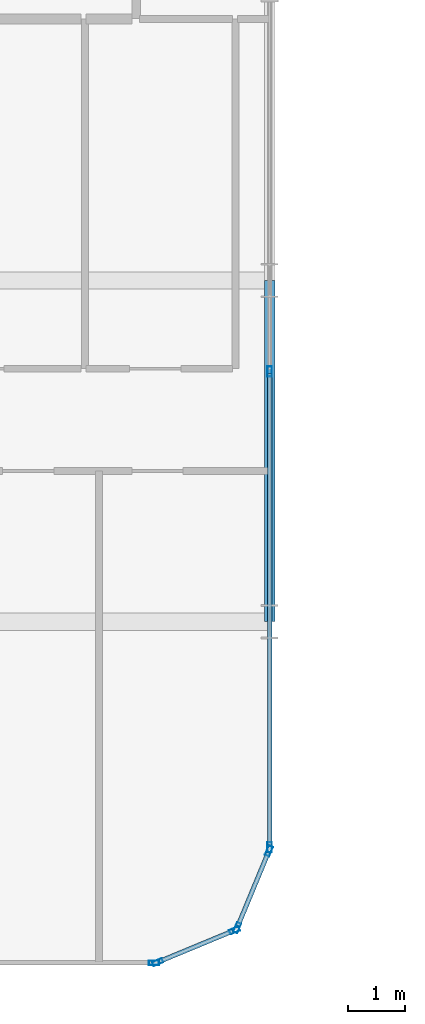
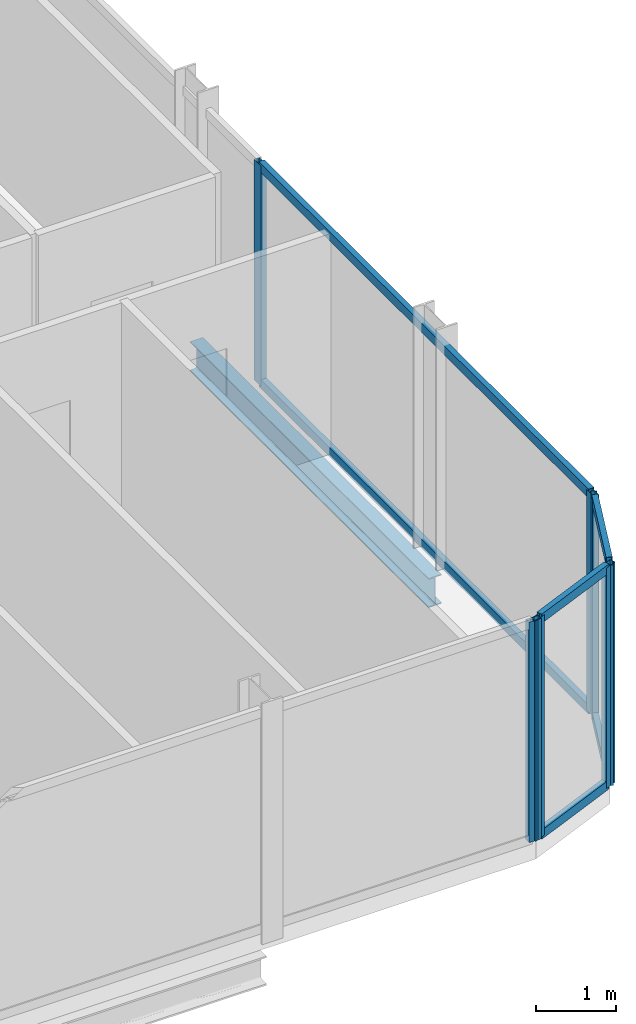
# One storey, part 10 of 29: 13 members, 1 beam, 4 elements without a shape of their own.
"""IFC4 building model written with IfcOpenShell, lengths in metres."""

from ifc_helpers import new_model, si_unit, direction, frame, origin, origin_2d, place, context, subcontext, project, spatial, hollow_rectangle, i_section, extrude, material, layer, layer_set, material_profile, profile_set, type_object, element, aggregate, save


model = new_model("IFC4")

# Units and contexts
model_context = context("Model", 3, precision=1e-05, world=origin(), true_north=direction((0.0, 1.0)))
body_context = subcontext(model_context, "Body", "Model", "MODEL_VIEW")
ifc_project = project(units=[si_unit("LENGTHUNIT", "METRE"), si_unit("AREAUNIT", "SQUARE_METRE"), si_unit("VOLUMEUNIT", "CUBIC_METRE"), si_unit("PLANEANGLEUNIT", "RADIAN"), si_unit("MASSUNIT", "GRAM", prefix="KILO")], contexts=[model_context])

# Site, building, storey
site_placement = place(None, origin())
site = spatial("IfcSite", under=ifc_project, at=site_placement, CompositionType="ELEMENT")
building_placement = place(site_placement, origin())
building = spatial("IfcBuilding", under=site, at=building_placement, Name="Keshet Zoharim Tower", CompositionType="ELEMENT")
storey_placement = place(building_placement, frame((0.0, 0.0, 98.300048828125)))
storey = spatial("IfcBuildingStorey", under=building, at=storey_placement, Name="L23", CompositionType="ELEMENT", Elevation=98.300048828125)

# Beam
ifc_material_1 = material(Name="Steel S355", Category="steel")
ifc_material_profile_1 = material_profile(ifc_material_1, i_section(OverallWidth=0.18994140625, OverallDepth=0.449951171875, WebThickness=0.009521484375, FlangeThickness=0.0146484375, FilletRadius=0.02099609375, at=origin_2d()), Name="IPE450")
ifc_profile_set_1 = profile_set([ifc_material_profile_1], Name="Steel S355")
beam_type = type_object("IfcBeamType", Name="BM-PRI-IP450", PredefinedType="BEAM", material=ifc_profile_set_1)
beam_placement = place(storey_placement, frame((57.0, 6.699951171875, -0.5400390625), z_axis=(0.0, 1.0, 0.0), x_axis=(-1.0, 0.0, 0.0)))
element("IfcBeam", 1, at=beam_placement, inside=storey, type_object=beam_type, Name="L23 Primary Girder Y-013", PredefinedType="BEAM", context=body_context, shape_type="SweptSolid", body=[
    extrude(i_section(OverallWidth=0.18994140625, OverallDepth=0.449951171875, WebThickness=0.009521484375, FlangeThickness=0.0146484375, FilletRadius=0.02099609375, at=origin_2d()), origin(), (0.0, 0.0, 1.0), 6.0),
])

# Curtain wall, members
ifc_material_2 = material(Name="Aluminium 6063-T6", Category="aluminium")
ifc_layer = layer(ifc_material_2, 0.159912109375)
ifc_layer_set = layer_set([ifc_layer], Name="Aluminium 6063-T6")
curtain_wall_type = type_object("IfcCurtainWallType", Name="CW-SYS-03", PredefinedType="NOTDEFINED", material=ifc_layer_set)
curtain_wall_1_placement = place(storey_placement, origin())
curtain_wall_1 = element("IfcCurtainWall", 2, at=curtain_wall_1_placement, inside=storey, type_object=curtain_wall_type, Name="L23 Unitised Curtain Wall 01", PredefinedType="NOTDEFINED")
ifc_material_profile_2 = material_profile(ifc_material_2, hollow_rectangle(XDim=0.080078125, YDim=0.179931640625, WallThickness=0.00439453125, at=origin_2d()), Name="MUL-80x180")
ifc_profile_set_2 = profile_set([ifc_material_profile_2], Name="Aluminium 6063-T6")
member_type_1 = type_object("IfcMemberType", Name="CWM-M18", PredefinedType="MULLION", material=ifc_profile_set_2)
member_1_placement = place(storey_placement, frame((56.986572265625, 2.667724609375, 0.0), z_axis=(0.0, 0.0, 1.0), x_axis=(0.92380975372, -0.382851849847, 0.0)))
member_1 = element("IfcMember", 3, at=member_1_placement, type_object=member_type_1, Name="CW-03 mullion 1", PredefinedType="MULLION", context=body_context, shape_type="SweptSolid", body=[
    extrude(hollow_rectangle(XDim=0.080078125, YDim=0.179931640625, WallThickness=0.00439453125, at=origin_2d()), origin(), (0.0, 0.0, 1.0), 3.385009765625),
])
member_2_placement = place(storey_placement, frame((56.427490234375, 1.318359375, 0.0), z_axis=(0.0, 0.0, 1.0), x_axis=(0.92380975372, -0.382851849847, 0.0)))
member_2 = element("IfcMember", 4, at=member_2_placement, type_object=member_type_1, Name="CW-03 mullion 2", PredefinedType="MULLION", context=body_context, shape_type="SweptSolid", body=[
    extrude(hollow_rectangle(XDim=0.080078125, YDim=0.179931640625, WallThickness=0.00439453125, at=origin_2d()), origin(), (0.0, 0.0, 1.0), 3.385009765625),
])

curtain_wall_2_placement = place(storey_placement, origin())
curtain_wall_2 = element("IfcCurtainWall", 5, at=curtain_wall_2_placement, inside=storey, type_object=curtain_wall_type, Name="L23 Unitised Curtain Wall 02", PredefinedType="NOTDEFINED")
member_3_placement = place(storey_placement, frame((56.381591796875, 1.272705078125, 0.0), z_axis=(0.0, 0.0, 1.0), x_axis=(0.382851849847, -0.92380975372, 0.0)))
member_3 = element("IfcMember", 6, at=member_3_placement, type_object=member_type_1, Name="CW-03 mullion 1", PredefinedType="MULLION", context=body_context, shape_type="SweptSolid", body=[
    extrude(hollow_rectangle(XDim=0.080078125, YDim=0.179931640625, WallThickness=0.00439453125, at=origin_2d()), origin(), (0.0, 0.0, 1.0), 3.385009765625),
])
member_4_placement = place(storey_placement, frame((55.0322265625, 0.71337890625, 0.0), z_axis=(0.0, 0.0, 1.0), x_axis=(0.382851849847, -0.92380975372, 0.0)))
member_4 = element("IfcMember", 7, at=member_4_placement, type_object=member_type_1, Name="CW-03 mullion 2", PredefinedType="MULLION", context=body_context, shape_type="SweptSolid", body=[
    extrude(hollow_rectangle(XDim=0.080078125, YDim=0.179931640625, WallThickness=0.00439453125, at=origin_2d()), origin(), (0.0, 0.0, 1.0), 3.385009765625),
])

# Curtain wall, member
curtain_wall_3_placement = place(storey_placement, origin())
curtain_wall_3 = element("IfcCurtainWall", 8, at=curtain_wall_3_placement, inside=storey, type_object=curtain_wall_type, Name="L23 Unitised Curtain Wall 03", PredefinedType="NOTDEFINED")
member_5_placement = place(storey_placement, frame((54.965087890625, 0.699951171875, 0.0), z_axis=(0.0, 0.0, 1.0), x_axis=(0.0, -1.0, 0.0)))
member_5 = element("IfcMember", 9, at=member_5_placement, type_object=member_type_1, Name="CW-03 mullion 1", PredefinedType="MULLION", context=body_context, shape_type="SweptSolid", body=[
    extrude(hollow_rectangle(XDim=0.080078125, YDim=0.179931640625, WallThickness=0.00439453125, at=origin_2d()), origin(), (0.0, 0.0, 1.0), 3.385009765625),
])
aggregate(curtain_wall_3, [member_5])

# Curtain wall, members
curtain_wall_4_placement = place(storey_placement, origin())
curtain_wall_4 = element("IfcCurtainWall", 10, at=curtain_wall_4_placement, inside=storey, type_object=curtain_wall_type, Name="L23 Unitised Curtain Wall 19", PredefinedType="NOTDEFINED")
member_6_placement = place(storey_placement, frame((57.0, 11.10009765625, 0.0), z_axis=(0.0, 0.0, 1.0), x_axis=(1.0, 0.0, 0.0)))
member_6 = element("IfcMember", 11, at=member_6_placement, type_object=member_type_1, Name="CW-03 mullion 3", PredefinedType="MULLION", context=body_context, shape_type="SweptSolid", body=[
    extrude(hollow_rectangle(XDim=0.080078125, YDim=0.179931640625, WallThickness=0.00439453125, at=origin_2d()), origin(), (0.0, 0.0, 1.0), 3.385009765625),
])
member_7_placement = place(storey_placement, frame((57.0, 2.735107421875, 0.0), z_axis=(0.0, 0.0, 1.0), x_axis=(1.0, 0.0, 0.0)))
member_7 = element("IfcMember", 12, at=member_7_placement, type_object=member_type_1, Name="CW-03 mullion 4", PredefinedType="MULLION", context=body_context, shape_type="SweptSolid", body=[
    extrude(hollow_rectangle(XDim=0.080078125, YDim=0.179931640625, WallThickness=0.00439453125, at=origin_2d()), origin(), (0.0, 0.0, 1.0), 3.385009765625),
])

# Member
ifc_material_profile_3 = material_profile(ifc_material_2, hollow_rectangle(XDim=0.080078125, YDim=0.139892578125, WallThickness=0.00390625, at=origin_2d()), Name="TRN-80x140")
ifc_profile_set_3 = profile_set([ifc_material_profile_3], Name="Aluminium 6063-T6")
member_type_2 = type_object("IfcMemberType", Name="CWT-T14", PredefinedType="USERDEFINED", material=ifc_profile_set_3)
member_8_placement = place(storey_placement, frame((56.97314453125, 2.63525390625, 0.034912109375), z_axis=(-0.382744609247, -0.923854189844, 0.0), x_axis=(0.923854189844, -0.382744609247, 0.0)))
member_8 = element("IfcMember", 13, at=member_8_placement, type_object=member_type_2, Name="CW-03 transom 1.1", ObjectType="TRANSOM", PredefinedType="USERDEFINED", context=body_context, shape_type="SweptSolid", body=[
    extrude(hollow_rectangle(XDim=0.080078125, YDim=0.139892578125, WallThickness=0.00390625, at=origin_2d()), origin(), (0.0, 0.0, 1.0), 1.390625),
])

member_9_placement = place(storey_placement, frame((56.97314453125, 2.63525390625, 3.349853515625), z_axis=(-0.382744609247, -0.923854189844, 0.0), x_axis=(0.923854189844, -0.382744609247, 0.0)))
member_9 = element("IfcMember", 14, at=member_9_placement, type_object=member_type_2, Name="CW-03 transom 1.2", ObjectType="TRANSOM", PredefinedType="USERDEFINED", context=body_context, shape_type="SweptSolid", body=[
    extrude(hollow_rectangle(XDim=0.080078125, YDim=0.139892578125, WallThickness=0.00390625, at=origin_2d()), origin(), (0.0, 0.0, 1.0), 1.390625),
])

aggregate(curtain_wall_1, [member_1, member_2, member_8, member_9])

member_10_placement = place(storey_placement, frame((56.349365234375, 1.25927734375, 0.034912109375), z_axis=(-0.92379209995, -0.382894445076, 0.0), x_axis=(0.382894445076, -0.92379209995, 0.0)))
member_10 = element("IfcMember", 15, at=member_10_placement, type_object=member_type_2, Name="CW-03 transom 1.1", ObjectType="TRANSOM", PredefinedType="USERDEFINED", context=body_context, shape_type="SweptSolid", body=[
    extrude(hollow_rectangle(XDim=0.080078125, YDim=0.139892578125, WallThickness=0.00390625, at=origin_2d()), origin(), (0.0, 0.0, 1.0), 1.390625),
])

member_11_placement = place(storey_placement, frame((56.349365234375, 1.25927734375, 3.349853515625), z_axis=(-0.92379209995, -0.382894445076, 0.0), x_axis=(0.382894445076, -0.92379209995, 0.0)))
member_11 = element("IfcMember", 16, at=member_11_placement, type_object=member_type_2, Name="CW-03 transom 1.2", ObjectType="TRANSOM", PredefinedType="USERDEFINED", context=body_context, shape_type="SweptSolid", body=[
    extrude(hollow_rectangle(XDim=0.080078125, YDim=0.139892578125, WallThickness=0.00390625, at=origin_2d()), origin(), (0.0, 0.0, 1.0), 1.390625),
])

aggregate(curtain_wall_2, [member_3, member_4, member_10, member_11])

member_12_placement = place(storey_placement, frame((57.0, 11.06494140625, 0.034912109375), z_axis=(0.0, -1.0, 0.0), x_axis=(1.0, 0.0, 0.0)))
member_12 = element("IfcMember", 17, at=member_12_placement, type_object=member_type_2, Name="CW-03 transom 3.1", ObjectType="TRANSOM", PredefinedType="USERDEFINED", context=body_context, shape_type="SweptSolid", body=[
    extrude(hollow_rectangle(XDim=0.080078125, YDim=0.139892578125, WallThickness=0.00390625, at=origin_2d()), origin(), (0.0, 0.0, 1.0), 8.294921875),
])

member_13_placement = place(storey_placement, frame((57.0, 11.06494140625, 3.349853515625), z_axis=(0.0, -1.0, 0.0), x_axis=(1.0, 0.0, 0.0)))
member_13 = element("IfcMember", 18, at=member_13_placement, type_object=member_type_2, Name="CW-03 transom 3.2", ObjectType="TRANSOM", PredefinedType="USERDEFINED", context=body_context, shape_type="SweptSolid", body=[
    extrude(hollow_rectangle(XDim=0.080078125, YDim=0.139892578125, WallThickness=0.00390625, at=origin_2d()), origin(), (0.0, 0.0, 1.0), 8.294921875),
])

aggregate(curtain_wall_4, [member_6, member_7, member_12, member_13])

save(model, "model.ifc")
